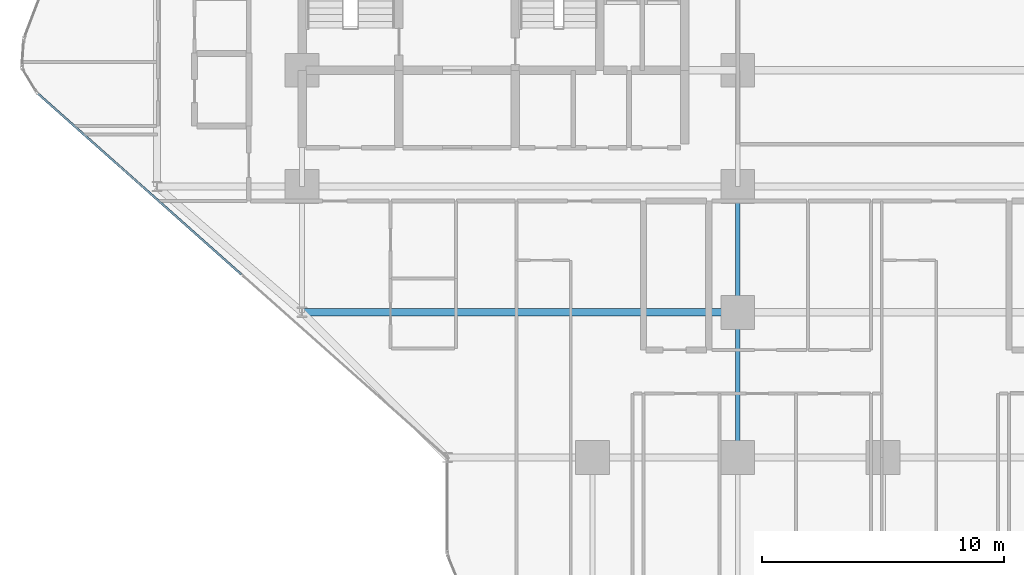
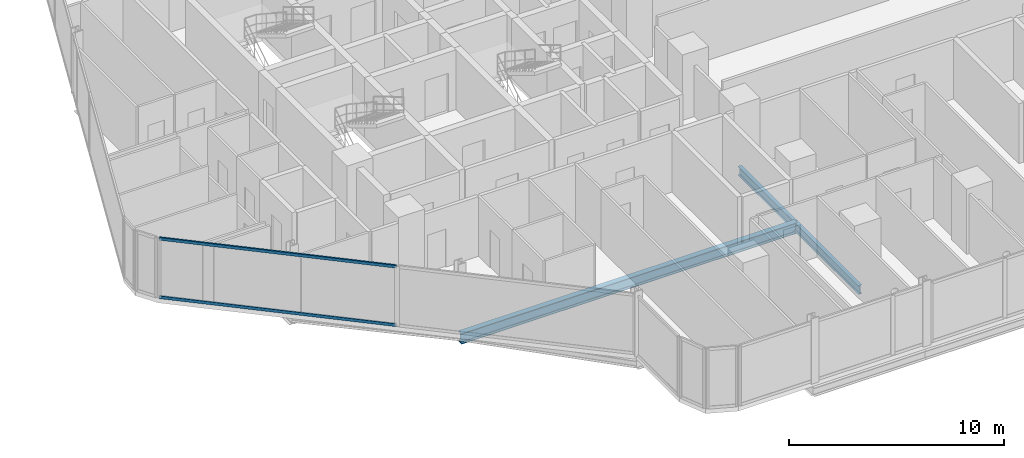
# One storey, part 4 of 33: 3 beams, 2 members, 1 element without a shape of its own.
"""IFC4 building model written with IfcOpenShell, lengths in metres."""

import ifcopenshell
import ifcopenshell.guid

model = None  # the IFC model being written
_history = None  # IfcOwnerHistory: only IFC2X3 demands one
_inside = {}  # id of a spatial element -> (the spatial element, [elements in it])
_under = {}  # id of a project, library or spatial element -> (it, [spatial elements below it])
_declared = {}  # id of a project -> (the project, [libraries it declares])
_typed = {}  # id of a type object -> (the type object, [elements of that type])
_made_of = {}  # id of a material, layer set ... -> (it, [elements and type objects made of it])


def new_model(schema):
    """Start an empty IFC model of exactly this schema.

    Asked for "IFC4X3", IfcOpenShell would pick the latest addendum, in which some entities
    have other attributes; the version numbers below select the first issue.
    IFC2X3 requires an IfcOwnerHistory on every rooted entity: one is made here for all.
    """
    global model, _history
    if schema == "IFC4X3":
        model = ifcopenshell.file(schema_version=(4, 3, 0, 0))
    else:
        model = ifcopenshell.file(schema=schema)
    _inside.clear()
    _under.clear()
    _declared.clear()
    _typed.clear()
    _made_of.clear()
    _history = None
    if model.schema == "IFC2X3":
        org = make("IfcOrganization", Name="unknown")
        user = make(
            "IfcPersonAndOrganization",
            ThePerson=make("IfcPerson", FamilyName="unknown"),
            TheOrganization=org,
        )
        app = make(
            "IfcApplication",
            ApplicationDeveloper=org,
            Version="unknown",
            ApplicationFullName="unknown",
            ApplicationIdentifier="unknown",
        )
        _history = make(
            "IfcOwnerHistory",
            OwningUser=user,
            OwningApplication=app,
            ChangeAction="ADDED",
            CreationDate=0,
        )
    return model


def make(cls, **values):
    """One entity of the class cls with the attributes given. An attribute that is None is left unset."""
    return model.create_entity(
        cls, **{name: value for name, value in values.items() if value is not None}
    )


def rooted(cls, **values):
    """An entity with a GlobalId (a new one), such as an element, a storey or a relation."""
    return make(cls, GlobalId=ifcopenshell.guid.new(), OwnerHistory=_history, **values)


def si_unit(unit_type, name, prefix=None):
    """IfcSIUnit, for example si_unit("LENGTHUNIT", "METRE", prefix="MILLI")."""
    return make("IfcSIUnit", UnitType=unit_type, Prefix=prefix, Name=name)


def assignment(units):
    """IfcUnitAssignment: the units of a project."""
    return None if units is None else make("IfcUnitAssignment", Units=units)


def point(xyz):
    """IfcCartesianPoint."""
    return None if xyz is None else make("IfcCartesianPoint", Coordinates=xyz)


def direction(xyz):
    """IfcDirection."""
    return None if xyz is None else make("IfcDirection", DirectionRatios=xyz)


def frame(location, z_axis=None, x_axis=None):
    """IfcAxis2Placement3D, a coordinate frame: its origin and axes. An axis left out is left unset."""
    return make(
        "IfcAxis2Placement3D",
        Location=point(location),
        Axis=direction(z_axis),
        RefDirection=direction(x_axis),
    )


def frame_2d(location, x_axis=None):
    """IfcAxis2Placement2D, a coordinate frame in the plane: its origin and x axis."""
    return make(
        "IfcAxis2Placement2D", Location=point(location), RefDirection=direction(x_axis)
    )


def origin():
    """The frame at (0, 0, 0) with its axes left unset."""
    return frame((0.0, 0.0, 0.0))


def origin_2d():
    """The frame at (0, 0) in the plane with its x axis left unset."""
    return frame_2d((0.0, 0.0))


def place(relative_to, where):
    """IfcLocalPlacement: puts the frame where relative to a parent placement (None: the world)."""
    return make(
        "IfcLocalPlacement", PlacementRelTo=relative_to, RelativePlacement=where
    )


def context(
    kind, dimensions, precision=None, world=None, true_north=None, identifier=None
):
    """IfcGeometricRepresentationContext, for example the 3D "Model" context."""
    return make(
        "IfcGeometricRepresentationContext",
        ContextIdentifier=identifier,
        ContextType=kind,
        CoordinateSpaceDimension=dimensions,
        Precision=precision,
        WorldCoordinateSystem=world,
        TrueNorth=true_north,
    )


def subcontext(parent, identifier, kind, view, scale=None):
    """IfcGeometricRepresentationSubContext, for example "Body" below "Model"."""
    return make(
        "IfcGeometricRepresentationSubContext",
        ContextIdentifier=identifier,
        ContextType=kind,
        ParentContext=parent,
        TargetScale=scale,
        TargetView=view,
    )


def project(units=None, contexts=None):
    """IfcProject with its units and contexts."""
    return rooted(
        "IfcProject",
        Name="project",
        RepresentationContexts=contexts,
        UnitsInContext=assignment(units),
    )


def spatial(cls, under=None, at=None, **own):
    """A site, building, storey or space (cls), placed at a placement, below another one or the project."""
    s = rooted(cls, ObjectPlacement=at, **own)
    if under is not None:
        _under.setdefault(under.id(), (under, []))[1].append(s)
    return s


def profile(cls, at=None, kind="AREA", **sizes):
    """A parametric profile (cls). Its sizes go by their IFC names, for example OverallWidth=200.0."""
    return make(cls, ProfileType=kind, Position=at, **sizes)


def hollow_rectangle(**sizes):
    """IfcRectangleHollowProfileDef."""
    return profile("IfcRectangleHollowProfileDef", **sizes)


def i_section(**sizes):
    """IfcIShapeProfileDef."""
    return profile("IfcIShapeProfileDef", **sizes)


def extrude(swept, where, along, depth):
    """IfcExtrudedAreaSolid: the profile swept, set in the frame where, extruded along a direction by depth."""
    return make(
        "IfcExtrudedAreaSolid",
        SweptArea=swept,
        Position=where,
        ExtrudedDirection=direction(along),
        Depth=depth,
    )


def shape(context_of_items, identifier, shape_type, items):
    """IfcShapeRepresentation: the items that make up one representation, for example the "Body"."""
    return make(
        "IfcShapeRepresentation",
        ContextOfItems=context_of_items,
        RepresentationIdentifier=identifier,
        RepresentationType=shape_type,
        Items=items,
    )


def material(Name=None, Category=None):
    """IfcMaterial."""
    return make("IfcMaterial", Name=Name, Category=Category)


def layer(
    of_material, thickness, ventilated=None, Name=None, Category=None, Priority=None
):
    """IfcMaterialLayer: one layer of a wall or slab, of a material (None: an air gap)."""
    return make(
        "IfcMaterialLayer",
        Material=of_material,
        LayerThickness=thickness,
        IsVentilated=ventilated,
        Name=Name,
        Category=Category,
        Priority=Priority,
    )


def layer_set(layers, Name=None):
    """IfcMaterialLayerSet."""
    return make("IfcMaterialLayerSet", MaterialLayers=layers, LayerSetName=Name)


def material_profile(
    of_material, cross_section, Name=None, Category=None, Priority=None
):
    """IfcMaterialProfile: a cross section and its material."""
    return make(
        "IfcMaterialProfile",
        Name=Name,
        Material=of_material,
        Profile=cross_section,
        Priority=Priority,
        Category=Category,
    )


def profile_set(profiles, Name=None, composite=None):
    """IfcMaterialProfileSet."""
    return make(
        "IfcMaterialProfileSet",
        Name=Name,
        MaterialProfiles=profiles,
        CompositeProfile=composite,
    )


def made_of(thing, what):
    """Note that an element or type object is made of a material, layer set ...; save() writes the relation."""
    if what is not None:
        _made_of.setdefault(what.id(), (what, []))[1].append(thing)
    return thing


def type_object(cls, material=None, **own):
    """A type object (cls), such as IfcWallType, which elements share."""
    return made_of(rooted(cls, **own), material)


def element(
    cls,
    number,
    at=None,
    inside=None,
    cuts=None,
    type_object=None,
    material=None,
    context=None,
    identifier="Body",
    shape_type=None,
    held_by="IfcProductDefinitionShape",
    body=None,
    shapes=None,
    **own,
):
    """One element of the class cls, such as IfcWall. Its Tag is "e" and its number.

    at: its placement. inside: the storey or other place that contains it. cuts: it is an
    opening in that element (IfcRelVoidsElement). A single representation is given by context,
    identifier, shape_type and body (its items); several are given by shapes. held_by: the class
    of the entity that holds the representations. save() writes the other relations.
    """
    e = rooted(cls, Tag="e%d" % number, ObjectPlacement=at, **own)
    if body is not None:
        shapes = [shape(context, identifier, shape_type, body)]
    if shapes is not None:
        e.Representation = make(held_by, Representations=shapes)
    if inside is not None:
        _inside.setdefault(inside.id(), (inside, []))[1].append(e)
    if cuts is not None:
        rooted(
            "IfcRelVoidsElement", RelatingBuildingElement=cuts, RelatedOpeningElement=e
        )
    if type_object is not None:
        _typed.setdefault(type_object.id(), (type_object, []))[1].append(e)
    return made_of(e, material)


def aggregate(whole, parts):
    """IfcRelAggregates: a whole, such as a stair, and the parts it consists of."""
    return rooted("IfcRelAggregates", RelatingObject=whole, RelatedObjects=parts)


def save(model, path):
    """Write the relations noted so far, then the file.

    IfcRelAggregates (storeys below a building ...), IfcRelContainedInSpatialStructure (elements
    in a storey), IfcRelDefinesByType, IfcRelAssociatesMaterial and IfcRelDeclares: one each for
    every whole, place, type object, material and project.
    """
    for whole, parts in _under.values():
        aggregate(whole, parts)
    for where, things in _inside.values():
        rooted(
            "IfcRelContainedInSpatialStructure",
            RelatedElements=things,
            RelatingStructure=where,
        )
    for kind, things in _typed.values():
        rooted("IfcRelDefinesByType", RelatedObjects=things, RelatingType=kind)
    for what, things in _made_of.values():
        rooted("IfcRelAssociatesMaterial", RelatedObjects=things, RelatingMaterial=what)
    for by, libraries in _declared.values():
        rooted("IfcRelDeclares", RelatingContext=by, RelatedDefinitions=libraries)
    model.write(path)


model = new_model("IFC4")

# Units and contexts
model_context = context("Model", 3, precision=1e-05, world=origin(), true_north=direction((0.0, 1.0)))
body_context = subcontext(model_context, "Body", "Model", "MODEL_VIEW")
ifc_project = project(units=[si_unit("LENGTHUNIT", "METRE"), si_unit("AREAUNIT", "SQUARE_METRE"), si_unit("VOLUMEUNIT", "CUBIC_METRE"), si_unit("PLANEANGLEUNIT", "RADIAN"), si_unit("MASSUNIT", "GRAM", prefix="KILO")], contexts=[model_context])

# Site, building, storey
site_placement = place(None, origin())
site = spatial("IfcSite", under=ifc_project, at=site_placement, CompositionType="ELEMENT")
building_placement = place(site_placement, origin())
building = spatial("IfcBuilding", under=site, at=building_placement, Name="Keshet Zoharim Tower", CompositionType="ELEMENT")
storey_placement = place(building_placement, frame((0.0, 0.0, 35.10009765625)))
storey = spatial("IfcBuildingStorey", under=building, at=storey_placement, Name="L07", CompositionType="ELEMENT", Elevation=35.10009765625)

# Beams
ifc_material_1 = material(Name="Steel S355", Category="steel")
ifc_material_profile_1 = material_profile(ifc_material_1, i_section(OverallWidth=0.300048828125, OverallDepth=0.60009765625, WebThickness=0.015380859375, FlangeThickness=0.030029296875, FilletRadius=0.027099609375, at=origin_2d()), Name="HEB600")
ifc_profile_set_1 = profile_set([ifc_material_profile_1], Name="Steel S355")
beam_type_1 = type_object("IfcBeamType", Name="BM-LNG-HB600", PredefinedType="BEAM", material=ifc_profile_set_1)
beam_1_placement = place(storey_placement, frame((15.0, 12.699951171875, -0.614990234375), z_axis=(1.0, 0.0, 0.0), x_axis=(0.0, 1.0, 0.0)))
element("IfcBeam", 1, at=beam_1_placement, inside=storey, type_object=beam_type_1, Name="L07 Primary Girder X-011", PredefinedType="BEAM", context=body_context, shape_type="SweptSolid", body=[
    extrude(i_section(OverallWidth=0.300048828125, OverallDepth=0.60009765625, WebThickness=0.015380859375, FlangeThickness=0.030029296875, FilletRadius=0.027099609375, at=origin_2d()), origin(), (0.0, 0.0, 1.0), 18.0),
])
ifc_material_profile_2 = material_profile(ifc_material_1, i_section(OverallWidth=0.199951171875, OverallDepth=0.5, WebThickness=0.01025390625, FlangeThickness=0.01611328125, FilletRadius=0.02099609375, at=origin_2d()), Name="IPE500")
ifc_profile_set_2 = profile_set([ifc_material_profile_2], Name="Steel S355")
beam_type_2 = type_object("IfcBeamType", Name="BM-PRI-IP500", PredefinedType="BEAM", material=ifc_profile_set_2)
beam_2_placement = place(storey_placement, frame((33.0, 6.699951171875, -0.565185546875), z_axis=(0.0, 1.0, 0.0), x_axis=(-1.0, 0.0, 0.0)))
element("IfcBeam", 2, at=beam_2_placement, inside=storey, type_object=beam_type_2, Name="L07 Primary Girder Y-006", PredefinedType="BEAM", context=body_context, shape_type="SweptSolid", body=[
    extrude(i_section(OverallWidth=0.199951171875, OverallDepth=0.5, WebThickness=0.01025390625, FlangeThickness=0.01611328125, FilletRadius=0.02099609375, at=origin_2d()), origin(), (0.0, 0.0, 1.0), 6.0),
])
beam_3_placement = place(storey_placement, frame((33.0, 12.699951171875, -0.565185546875), z_axis=(0.0, 1.0, 0.0), x_axis=(-1.0, 0.0, 0.0)))
element("IfcBeam", 3, at=beam_3_placement, inside=storey, type_object=beam_type_2, Name="L07 Primary Girder Y-007", PredefinedType="BEAM", context=body_context, shape_type="SweptSolid", body=[
    extrude(i_section(OverallWidth=0.199951171875, OverallDepth=0.5, WebThickness=0.01025390625, FlangeThickness=0.01611328125, FilletRadius=0.02099609375, at=origin_2d()), origin(), (0.0, 0.0, 1.0), 5.199951171875),
])

# Curtain wall, members
ifc_material_2 = material(Name="Aluminium 6063-T6", Category="aluminium")
ifc_layer = layer(ifc_material_2, 0.179931640625)
ifc_layer_set = layer_set([ifc_layer], Name="Aluminium 6063-T6")
curtain_wall_type = type_object("IfcCurtainWallType", Name="CW-SYS-01", PredefinedType="NOTDEFINED", material=ifc_layer_set)
curtain_wall_placement = place(storey_placement, origin())
curtain_wall = element("IfcCurtainWall", 4, at=curtain_wall_placement, inside=storey, type_object=curtain_wall_type, Name="L07 Unitised Curtain Wall 01", PredefinedType="NOTDEFINED")
ifc_material_profile_3 = material_profile(ifc_material_2, hollow_rectangle(XDim=0.0849609375, YDim=0.159912109375, WallThickness=0.00439453125, at=origin_2d()), Name="TRN-85x160")
ifc_profile_set_3 = profile_set([ifc_material_profile_3], Name="Aluminium 6063-T6")
member_type = type_object("IfcMemberType", Name="CWT-T16", PredefinedType="USERDEFINED", material=ifc_profile_set_3)
member_1_placement = place(storey_placement, frame((12.491455078125, 14.26318359375, 0.034912109375), z_axis=(-0.747411714548, 0.664361143472, 0.0), x_axis=(-0.664361143472, -0.747411714548, 0.0)))
member_1 = element("IfcMember", 5, at=member_1_placement, type_object=member_type, Name="CW-01 transom 2.1", ObjectType="TRANSOM", PredefinedType="USERDEFINED", context=body_context, shape_type="SweptSolid", body=[
    extrude(hollow_rectangle(XDim=0.0849609375, YDim=0.159912109375, WallThickness=0.00439453125, at=origin_2d()), origin(), (0.0, 0.0, 1.0), 11.244140625),
])
member_2_placement = place(storey_placement, frame((12.491455078125, 14.26318359375, 3.349853515625), z_axis=(-0.747411714548, 0.664361143472, 0.0), x_axis=(-0.664361143472, -0.747411714548, 0.0)))
member_2 = element("IfcMember", 6, at=member_2_placement, type_object=member_type, Name="CW-01 transom 2.2", ObjectType="TRANSOM", PredefinedType="USERDEFINED", context=body_context, shape_type="SweptSolid", body=[
    extrude(hollow_rectangle(XDim=0.0849609375, YDim=0.159912109375, WallThickness=0.00439453125, at=origin_2d()), origin(), (0.0, 0.0, 1.0), 11.244140625),
])
aggregate(curtain_wall, [member_1, member_2])

save(model, "model.ifc")
